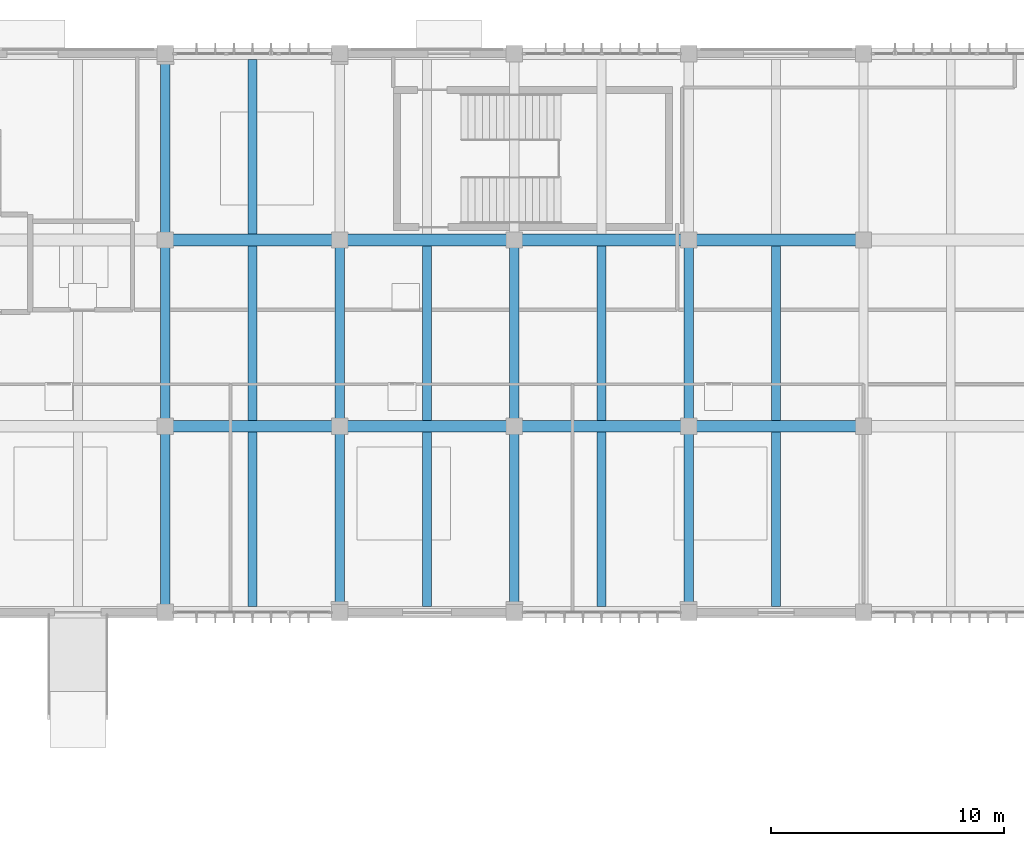
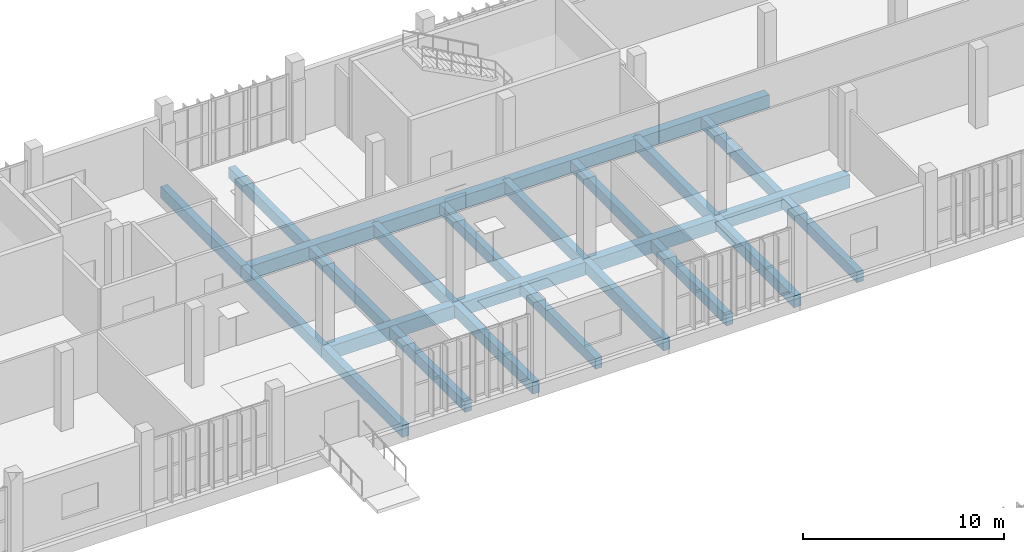
# One storey, part 20 of 72: 26 beams.
"""IFC4 building model written with IfcOpenShell, lengths in metres."""

import ifcopenshell
import ifcopenshell.guid

model = None  # the IFC model being written
_history = None  # IfcOwnerHistory: only IFC2X3 demands one
_inside = {}  # id of a spatial element -> (the spatial element, [elements in it])
_under = {}  # id of a project, library or spatial element -> (it, [spatial elements below it])
_declared = {}  # id of a project -> (the project, [libraries it declares])
_typed = {}  # id of a type object -> (the type object, [elements of that type])
_made_of = {}  # id of a material, layer set ... -> (it, [elements and type objects made of it])


def new_model(schema):
    """Start an empty IFC model of exactly this schema.

    Asked for "IFC4X3", IfcOpenShell would pick the latest addendum, in which some entities
    have other attributes; the version numbers below select the first issue.
    IFC2X3 requires an IfcOwnerHistory on every rooted entity: one is made here for all.
    """
    global model, _history
    if schema == "IFC4X3":
        model = ifcopenshell.file(schema_version=(4, 3, 0, 0))
    else:
        model = ifcopenshell.file(schema=schema)
    _inside.clear()
    _under.clear()
    _declared.clear()
    _typed.clear()
    _made_of.clear()
    _history = None
    if model.schema == "IFC2X3":
        org = make("IfcOrganization", Name="unknown")
        user = make(
            "IfcPersonAndOrganization",
            ThePerson=make("IfcPerson", FamilyName="unknown"),
            TheOrganization=org,
        )
        app = make(
            "IfcApplication",
            ApplicationDeveloper=org,
            Version="unknown",
            ApplicationFullName="unknown",
            ApplicationIdentifier="unknown",
        )
        _history = make(
            "IfcOwnerHistory",
            OwningUser=user,
            OwningApplication=app,
            ChangeAction="ADDED",
            CreationDate=0,
        )
    return model


def make(cls, **values):
    """One entity of the class cls with the attributes given. An attribute that is None is left unset."""
    return model.create_entity(
        cls, **{name: value for name, value in values.items() if value is not None}
    )


def rooted(cls, **values):
    """An entity with a GlobalId (a new one), such as an element, a storey or a relation."""
    return make(cls, GlobalId=ifcopenshell.guid.new(), OwnerHistory=_history, **values)


def si_unit(unit_type, name, prefix=None):
    """IfcSIUnit, for example si_unit("LENGTHUNIT", "METRE", prefix="MILLI")."""
    return make("IfcSIUnit", UnitType=unit_type, Prefix=prefix, Name=name)


def assignment(units):
    """IfcUnitAssignment: the units of a project."""
    return None if units is None else make("IfcUnitAssignment", Units=units)


def point(xyz):
    """IfcCartesianPoint."""
    return None if xyz is None else make("IfcCartesianPoint", Coordinates=xyz)


def direction(xyz):
    """IfcDirection."""
    return None if xyz is None else make("IfcDirection", DirectionRatios=xyz)


def frame(location, z_axis=None, x_axis=None):
    """IfcAxis2Placement3D, a coordinate frame: its origin and axes. An axis left out is left unset."""
    return make(
        "IfcAxis2Placement3D",
        Location=point(location),
        Axis=direction(z_axis),
        RefDirection=direction(x_axis),
    )


def frame_2d(location, x_axis=None):
    """IfcAxis2Placement2D, a coordinate frame in the plane: its origin and x axis."""
    return make(
        "IfcAxis2Placement2D", Location=point(location), RefDirection=direction(x_axis)
    )


def origin():
    """The frame at (0, 0, 0) with its axes left unset."""
    return frame((0.0, 0.0, 0.0))


def origin_2d():
    """The frame at (0, 0) in the plane with its x axis left unset."""
    return frame_2d((0.0, 0.0))


def place(relative_to, where):
    """IfcLocalPlacement: puts the frame where relative to a parent placement (None: the world)."""
    return make(
        "IfcLocalPlacement", PlacementRelTo=relative_to, RelativePlacement=where
    )


def context(
    kind, dimensions, precision=None, world=None, true_north=None, identifier=None
):
    """IfcGeometricRepresentationContext, for example the 3D "Model" context."""
    return make(
        "IfcGeometricRepresentationContext",
        ContextIdentifier=identifier,
        ContextType=kind,
        CoordinateSpaceDimension=dimensions,
        Precision=precision,
        WorldCoordinateSystem=world,
        TrueNorth=true_north,
    )


def subcontext(parent, identifier, kind, view, scale=None):
    """IfcGeometricRepresentationSubContext, for example "Body" below "Model"."""
    return make(
        "IfcGeometricRepresentationSubContext",
        ContextIdentifier=identifier,
        ContextType=kind,
        ParentContext=parent,
        TargetScale=scale,
        TargetView=view,
    )


def project(units=None, contexts=None):
    """IfcProject with its units and contexts."""
    return rooted(
        "IfcProject",
        Name="project",
        RepresentationContexts=contexts,
        UnitsInContext=assignment(units),
    )


def spatial(cls, under=None, at=None, **own):
    """A site, building, storey or space (cls), placed at a placement, below another one or the project."""
    s = rooted(cls, ObjectPlacement=at, **own)
    if under is not None:
        _under.setdefault(under.id(), (under, []))[1].append(s)
    return s


def profile(cls, at=None, kind="AREA", **sizes):
    """A parametric profile (cls). Its sizes go by their IFC names, for example OverallWidth=200.0."""
    return make(cls, ProfileType=kind, Position=at, **sizes)


def rectangle(**sizes):
    """IfcRectangleProfileDef."""
    return profile("IfcRectangleProfileDef", **sizes)


def extrude(swept, where, along, depth):
    """IfcExtrudedAreaSolid: the profile swept, set in the frame where, extruded along a direction by depth."""
    return make(
        "IfcExtrudedAreaSolid",
        SweptArea=swept,
        Position=where,
        ExtrudedDirection=direction(along),
        Depth=depth,
    )


def shape(context_of_items, identifier, shape_type, items):
    """IfcShapeRepresentation: the items that make up one representation, for example the "Body"."""
    return make(
        "IfcShapeRepresentation",
        ContextOfItems=context_of_items,
        RepresentationIdentifier=identifier,
        RepresentationType=shape_type,
        Items=items,
    )


def material(Name=None, Category=None):
    """IfcMaterial."""
    return make("IfcMaterial", Name=Name, Category=Category)


def material_profile(
    of_material, cross_section, Name=None, Category=None, Priority=None
):
    """IfcMaterialProfile: a cross section and its material."""
    return make(
        "IfcMaterialProfile",
        Name=Name,
        Material=of_material,
        Profile=cross_section,
        Priority=Priority,
        Category=Category,
    )


def profile_set(profiles, Name=None, composite=None):
    """IfcMaterialProfileSet."""
    return make(
        "IfcMaterialProfileSet",
        Name=Name,
        MaterialProfiles=profiles,
        CompositeProfile=composite,
    )


def made_of(thing, what):
    """Note that an element or type object is made of a material, layer set ...; save() writes the relation."""
    if what is not None:
        _made_of.setdefault(what.id(), (what, []))[1].append(thing)
    return thing


def type_object(cls, material=None, **own):
    """A type object (cls), such as IfcWallType, which elements share."""
    return made_of(rooted(cls, **own), material)


def element(
    cls,
    number,
    at=None,
    inside=None,
    cuts=None,
    type_object=None,
    material=None,
    context=None,
    identifier="Body",
    shape_type=None,
    held_by="IfcProductDefinitionShape",
    body=None,
    shapes=None,
    **own,
):
    """One element of the class cls, such as IfcWall. Its Tag is "e" and its number.

    at: its placement. inside: the storey or other place that contains it. cuts: it is an
    opening in that element (IfcRelVoidsElement). A single representation is given by context,
    identifier, shape_type and body (its items); several are given by shapes. held_by: the class
    of the entity that holds the representations. save() writes the other relations.
    """
    e = rooted(cls, Tag="e%d" % number, ObjectPlacement=at, **own)
    if body is not None:
        shapes = [shape(context, identifier, shape_type, body)]
    if shapes is not None:
        e.Representation = make(held_by, Representations=shapes)
    if inside is not None:
        _inside.setdefault(inside.id(), (inside, []))[1].append(e)
    if cuts is not None:
        rooted(
            "IfcRelVoidsElement", RelatingBuildingElement=cuts, RelatedOpeningElement=e
        )
    if type_object is not None:
        _typed.setdefault(type_object.id(), (type_object, []))[1].append(e)
    return made_of(e, material)


def aggregate(whole, parts):
    """IfcRelAggregates: a whole, such as a stair, and the parts it consists of."""
    return rooted("IfcRelAggregates", RelatingObject=whole, RelatedObjects=parts)


def save(model, path):
    """Write the relations noted so far, then the file.

    IfcRelAggregates (storeys below a building ...), IfcRelContainedInSpatialStructure (elements
    in a storey), IfcRelDefinesByType, IfcRelAssociatesMaterial and IfcRelDeclares: one each for
    every whole, place, type object, material and project.
    """
    for whole, parts in _under.values():
        aggregate(whole, parts)
    for where, things in _inside.values():
        rooted(
            "IfcRelContainedInSpatialStructure",
            RelatedElements=things,
            RelatingStructure=where,
        )
    for kind, things in _typed.values():
        rooted("IfcRelDefinesByType", RelatedObjects=things, RelatingType=kind)
    for what, things in _made_of.values():
        rooted("IfcRelAssociatesMaterial", RelatedObjects=things, RelatingMaterial=what)
    for by, libraries in _declared.values():
        rooted("IfcRelDeclares", RelatingContext=by, RelatedDefinitions=libraries)
    model.write(path)


model = new_model("IFC4")

# Units and contexts
model_context = context("Model", 3, precision=1e-05, world=origin(), true_north=direction((0.0, 1.0)))
body_context = subcontext(model_context, "Body", "Model", "MODEL_VIEW")
ifc_project = project(units=[si_unit("LENGTHUNIT", "METRE"), si_unit("AREAUNIT", "SQUARE_METRE"), si_unit("VOLUMEUNIT", "CUBIC_METRE"), si_unit("PLANEANGLEUNIT", "RADIAN"), si_unit("MASSUNIT", "GRAM", prefix="KILO")], contexts=[model_context])

# Site, building, storey
site_placement = place(None, origin())
site = spatial("IfcSite", under=ifc_project, at=site_placement, CompositionType="ELEMENT")
building_placement = place(site_placement, origin())
building = spatial("IfcBuilding", under=site, at=building_placement, Name="Vourika Railside Aquatics Centre", CompositionType="ELEMENT")
storey_placement = place(building_placement, origin())
storey = spatial("IfcBuildingStorey", under=building, at=storey_placement, Name="L00", CompositionType="ELEMENT", Elevation=0.0)

# Beams
ifc_material_1 = material(Name="Concrete C35/45", Category="concrete")
ifc_material_profile_1 = material_profile(ifc_material_1, rectangle(XDim=0.39990234375, YDim=0.699951171875, at=origin_2d()), Name="RC 400x700")
ifc_profile_set_1 = profile_set([ifc_material_profile_1], Name="Concrete C35/45")
beam_type_1 = type_object("IfcBeamType", Name="BM-GIRD-400x700", PredefinedType="BEAM", material=ifc_profile_set_1)
for number, where, z_axis, x_axis, name in (
    (1, (66.0, 92.0, -0.669921875), (0.0, 1.0, 0.0), (-1.0, 0.0, 0.0), "Floor Girder GY-L00-242"),
    (2, (66.0, 100.0, -0.669921875), (0.0, 1.0, 0.0), (-1.0, 0.0, 0.0), "Floor Girder GY-L00-243"),
    (3, (66.0, 108.0, -0.669921875), (0.0, 1.0, 0.0), (-1.0, 0.0, 0.0), "Floor Girder GY-L00-244"),
    (4, (73.5, 92.0, -0.669921875), (0.0, 1.0, 0.0), (-1.0, 0.0, 0.0), "Floor Girder GY-L00-249"),
    (5, (73.5, 100.0, -0.669921875), (0.0, 1.0, 0.0), (-1.0, 0.0, 0.0), "Floor Girder GY-L00-250"),
    (6, (81.0, 92.0, -0.669921875), (0.0, 1.0, 0.0), (-1.0, 0.0, 0.0), "Floor Girder GY-L00-256"),
    (7, (81.0, 100.0, -0.669921875), (0.0, 1.0, 0.0), (-1.0, 0.0, 0.0), "Floor Girder GY-L00-257"),
    (8, (88.5, 92.0, -0.669921875), (0.0, 1.0, 0.0), (-1.0, 0.0, 0.0), "Floor Girder GY-L00-264"),
    (9, (88.5, 100.0, -0.669921875), (0.0, 1.0, 0.0), (-1.0, 0.0, 0.0), "Floor Girder GY-L00-265"),
):
    element("IfcBeam", number, at=place(storey_placement, frame(where, z_axis=z_axis, x_axis=x_axis)), inside=storey, type_object=beam_type_1, Name=name, PredefinedType="BEAM", context=body_context, shape_type="SweptSolid", body=[
        extrude(rectangle(XDim=0.39990234375, YDim=0.699951171875, at=origin_2d()), origin(), (0.0, 0.0, 1.0), 8.0),
    ])
ifc_material_profile_2 = material_profile(ifc_material_1, rectangle(XDim=0.3798828125, YDim=0.64990234375, at=origin_2d()), Name="RC 380x650")
ifc_profile_set_2 = profile_set([ifc_material_profile_2], Name="Concrete C35/45")
beam_type_2 = type_object("IfcBeamType", Name="BM-SEC-380x650", PredefinedType="JOIST", material=ifc_profile_set_2)
for number, where, z_axis, x_axis, name in (
    (10, (69.75, 92.25, -0.64501953125), (0.0, 1.0, 0.0), (-1.0, 0.0, 0.0), "Secondary Joist JY-L00-440"),
    (11, (77.25, 92.25, -0.64501953125), (0.0, 1.0, 0.0), (-1.0, 0.0, 0.0), "Secondary Joist JY-L00-441"),
    (12, (84.75, 92.25, -0.64501953125), (0.0, 1.0, 0.0), (-1.0, 0.0, 0.0), "Secondary Joist JY-L00-442"),
    (13, (92.25, 92.25, -0.64501953125), (0.0, 1.0, 0.0), (-1.0, 0.0, 0.0), "Secondary Joist JY-L00-443"),
    (14, (69.75, 100.25, -0.64501953125), (0.0, 1.0, 0.0), (-1.0, 0.0, 0.0), "Secondary Joist JY-L00-455"),
    (15, (77.25, 100.25, -0.64501953125), (0.0, 1.0, 0.0), (-1.0, 0.0, 0.0), "Secondary Joist JY-L00-456"),
    (16, (84.75, 100.25, -0.64501953125), (0.0, 1.0, 0.0), (-1.0, 0.0, 0.0), "Secondary Joist JY-L00-457"),
    (17, (92.25, 100.25, -0.64501953125), (0.0, 1.0, 0.0), (-1.0, 0.0, 0.0), "Secondary Joist JY-L00-458"),
    (18, (69.75, 108.25, -0.64501953125), (0.0, 1.0, 0.0), (-1.0, 0.0, 0.0), "Secondary Joist JY-L00-466"),
):
    element("IfcBeam", number, at=place(storey_placement, frame(where, z_axis=z_axis, x_axis=x_axis)), inside=storey, type_object=beam_type_2, Name=name, PredefinedType="JOIST", context=body_context, shape_type="SweptSolid", body=[
        extrude(rectangle(XDim=0.3798828125, YDim=0.64990234375, at=origin_2d()), origin(), (0.0, 0.0, 1.0), 7.5),
    ])
ifc_material_2 = material(Name="Concrete C40/50", Category="concrete")
ifc_material_profile_3 = material_profile(ifc_material_2, rectangle(XDim=0.5, YDim=0.800048828125, at=origin_2d()), Name="RC 500x800")
ifc_profile_set_3 = profile_set([ifc_material_profile_3], Name="Concrete C40/50")
beam_type_3 = type_object("IfcBeamType", Name="BM-TIE-500x800", PredefinedType="BEAM", material=ifc_profile_set_3)
for number, where, z_axis, x_axis, name in (
    (19, (66.0, 100.0, -0.719970703125), (1.0, 0.0, 0.0), (0.0, 1.0, 0.0), "Floor Beam GX-L00-149"),
    (20, (73.5, 100.0, -0.719970703125), (1.0, 0.0, 0.0), (0.0, 1.0, 0.0), "Floor Beam GX-L00-150"),
    (21, (81.0, 100.0, -0.719970703125), (1.0, 0.0, 0.0), (0.0, 1.0, 0.0), "Floor Beam GX-L00-151"),
    (22, (88.5, 100.0, -0.719970703125), (1.0, 0.0, 0.0), (0.0, 1.0, 0.0), "Floor Beam GX-L00-152"),
    (23, (66.0, 108.0, -0.719970703125), (1.0, 0.0, 0.0), (0.0, 1.0, 0.0), "Floor Beam GX-L00-164"),
    (24, (73.5, 108.0, -0.719970703125), (1.0, 0.0, 0.0), (0.0, 1.0, 0.0), "Floor Beam GX-L00-165"),
    (25, (81.0, 108.0, -0.719970703125), (1.0, 0.0, 0.0), (0.0, 1.0, 0.0), "Floor Beam GX-L00-166"),
    (26, (88.5, 108.0, -0.719970703125), (1.0, 0.0, 0.0), (0.0, 1.0, 0.0), "Floor Beam GX-L00-167"),
):
    element("IfcBeam", number, at=place(storey_placement, frame(where, z_axis=z_axis, x_axis=x_axis)), inside=storey, type_object=beam_type_3, Name=name, PredefinedType="BEAM", context=body_context, shape_type="SweptSolid", body=[
        extrude(rectangle(XDim=0.5, YDim=0.800048828125, at=origin_2d()), origin(), (0.0, 0.0, 1.0), 7.5),
    ])

save(model, "model.ifc")
